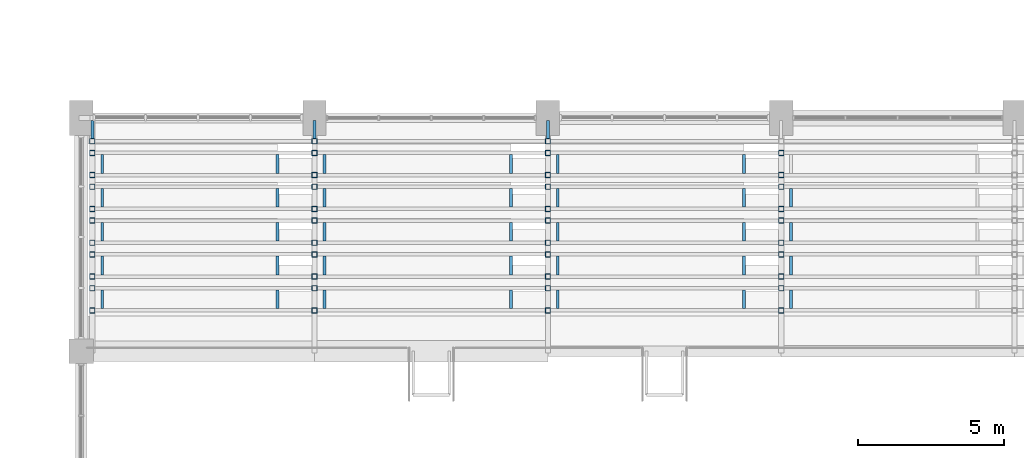
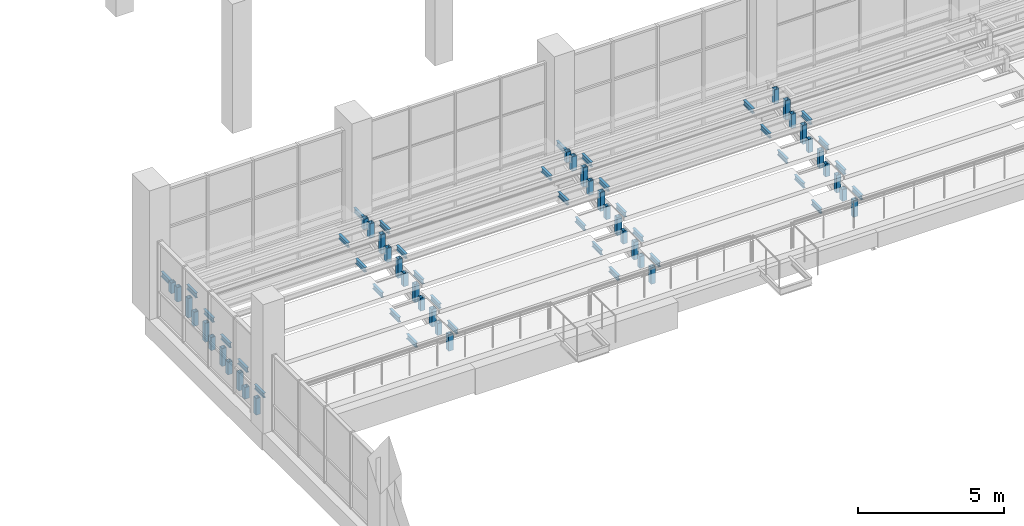
# One storey, part 66 of 122: 43 members, 37 beams.
"""IFC4 building model written with IfcOpenShell, lengths in metres."""

from ifc_helpers import new_model, si_unit, direction, frame, origin, origin_2d, place, context, subcontext, project, spatial, hollow_rectangle, i_section, extrude, material, material_profile, profile_set, type_object, element, save


model = new_model("IFC4")

# Units and contexts
model_context = context("Model", 3, precision=1e-05, world=origin(), true_north=direction((0.0, 1.0)))
body_context = subcontext(model_context, "Body", "Model", "MODEL_VIEW")
ifc_project = project(units=[si_unit("LENGTHUNIT", "METRE"), si_unit("AREAUNIT", "SQUARE_METRE"), si_unit("VOLUMEUNIT", "CUBIC_METRE"), si_unit("PLANEANGLEUNIT", "RADIAN"), si_unit("MASSUNIT", "GRAM", prefix="KILO")], contexts=[model_context])

# Site, building, storey
site_placement = place(None, origin())
site = spatial("IfcSite", under=ifc_project, at=site_placement, CompositionType="ELEMENT")
building_placement = place(site_placement, origin())
building = spatial("IfcBuilding", under=site, at=building_placement, Name="Tenunan Teduh Sports Hall", CompositionType="ELEMENT")
storey_placement = place(building_placement, frame((0.0, 0.0, 5.39990234375)))
storey = spatial("IfcBuildingStorey", under=building, at=storey_placement, Name="L01", CompositionType="ELEMENT", Elevation=5.39990234375)

# Beams
ifc_material_1 = material(Name="Steel S355", Category="steel")
ifc_material_profile_1 = material_profile(ifc_material_1, i_section(OverallWidth=0.10009765625, OverallDepth=0.199951171875, WebThickness=0.005615234375, FlangeThickness=0.008544921875, FilletRadius=0.011962890625, at=origin_2d()), Name="IPE 200")
ifc_profile_set_1 = profile_set([ifc_material_profile_1], Name="Steel S355")
beam_type = type_object("IfcBeamType", Name="JST-IPE200", PredefinedType="JOIST", material=ifc_profile_set_1)
for number, where, z_axis, x_axis, name in (
    (1, (6.3798828125, 45.2900390625, 1.380126953125), (0.0, 1.0, 0.0), (-1.0, 0.0, 0.0), "BM-J-01-L01-2390"),
    (2, (14.0, 45.2900390625, 1.380126953125), (0.0, 1.0, 0.0), (-1.0, 0.0, 0.0), "BM-J-01-L01-2392"),
    (3, (22.0, 45.2900390625, 1.380126953125), (0.0, 1.0, 0.0), (-1.0, 0.0, 0.0), "BM-J-01-L01-2394"),
):
    element("IfcBeam", number, at=place(storey_placement, frame(where, z_axis=z_axis, x_axis=x_axis)), inside=storey, type_object=beam_type, Name=name, PredefinedType="JOIST", context=body_context, shape_type="SweptSolid", body=[
        extrude(i_section(OverallWidth=0.10009765625, OverallDepth=0.199951171875, WebThickness=0.005615234375, FlangeThickness=0.008544921875, FilletRadius=0.011962890625, at=origin_2d()), origin(), (0.0, 0.0, 1.0), 0.619873046875),
    ])
for number, where, z_axis, x_axis, name in (
    (4, (6.719970703125, 39.4599609375, 0.070068359375), (0.0, 1.0, 0.0), (-1.0, 0.0, 0.0), "BM-J-01-L01-2418"),
    (5, (12.72998046875, 39.4599609375, 0.070068359375), (0.0, 1.0, 0.0), (-1.0, 0.0, 0.0), "BM-J-01-L01-2419"),
):
    element("IfcBeam", number, at=place(storey_placement, frame(where, z_axis=z_axis, x_axis=x_axis)), inside=storey, type_object=beam_type, Name=name, PredefinedType="JOIST", context=body_context, shape_type="SweptSolid", body=[
        extrude(i_section(OverallWidth=0.10009765625, OverallDepth=0.199951171875, WebThickness=0.005615234375, FlangeThickness=0.008544921875, FilletRadius=0.011962890625, at=origin_2d()), origin(), (0.0, 0.0, 1.0), 0.64013671875),
    ])
for number, where, z_axis, x_axis, name in (
    (6, (6.719970703125, 40.6201171875, 0.425048828125), (0.0, 1.0, 0.0), (-1.0, 0.0, 0.0), "BM-J-01-L01-2422"),
    (7, (12.72998046875, 40.6201171875, 0.425048828125), (0.0, 1.0, 0.0), (-1.0, 0.0, 0.0), "BM-J-01-L01-2423"),
    (8, (6.719970703125, 41.780029296875, 0.75), (0.0, 1.0, 0.0), (-1.0, 0.0, 0.0), "BM-J-01-L01-2426"),
    (9, (12.72998046875, 41.780029296875, 0.75), (0.0, 1.0, 0.0), (-1.0, 0.0, 0.0), "BM-J-01-L01-2427"),
):
    element("IfcBeam", number, at=place(storey_placement, frame(where, z_axis=z_axis, x_axis=x_axis)), inside=storey, type_object=beam_type, Name=name, PredefinedType="JOIST", context=body_context, shape_type="SweptSolid", body=[
        extrude(i_section(OverallWidth=0.10009765625, OverallDepth=0.199951171875, WebThickness=0.005615234375, FlangeThickness=0.008544921875, FilletRadius=0.011962890625, at=origin_2d()), origin(), (0.0, 0.0, 1.0), 0.639892578125),
    ])
for number, where, z_axis, x_axis, name in (
    (10, (6.719970703125, 42.93994140625, 1.10498046875), (0.0, 1.0, 0.0), (-1.0, 0.0, 0.0), "BM-J-01-L01-2430"),
    (11, (12.72998046875, 42.93994140625, 1.10498046875), (0.0, 1.0, 0.0), (-1.0, 0.0, 0.0), "BM-J-01-L01-2431"),
):
    element("IfcBeam", number, at=place(storey_placement, frame(where, z_axis=z_axis, x_axis=x_axis)), inside=storey, type_object=beam_type, Name=name, PredefinedType="JOIST", context=body_context, shape_type="SweptSolid", body=[
        extrude(i_section(OverallWidth=0.10009765625, OverallDepth=0.199951171875, WebThickness=0.005615234375, FlangeThickness=0.008544921875, FilletRadius=0.011962890625, at=origin_2d()), origin(), (0.0, 0.0, 1.0), 0.64013671875),
    ])
for number, where, z_axis, x_axis, name in (
    (12, (6.719970703125, 44.10009765625, 1.43017578125), (0.0, 1.0, 0.0), (-1.0, 0.0, 0.0), "BM-J-01-L01-2434"),
    (13, (12.72998046875, 44.10009765625, 1.43017578125), (0.0, 1.0, 0.0), (-1.0, 0.0, 0.0), "BM-J-01-L01-2435"),
):
    element("IfcBeam", number, at=place(storey_placement, frame(where, z_axis=z_axis, x_axis=x_axis)), inside=storey, type_object=beam_type, Name=name, PredefinedType="JOIST", context=body_context, shape_type="SweptSolid", body=[
        extrude(i_section(OverallWidth=0.10009765625, OverallDepth=0.199951171875, WebThickness=0.005615234375, FlangeThickness=0.008544921875, FilletRadius=0.011962890625, at=origin_2d()), origin(), (0.0, 0.0, 1.0), 0.639892578125),
    ])
for number, where, z_axis, x_axis, name in (
    (14, (14.340087890625, 39.4599609375, 0.070068359375), (0.0, 1.0, 0.0), (-1.0, 0.0, 0.0), "BM-J-01-L01-2438"),
    (15, (20.72998046875, 39.4599609375, 0.070068359375), (0.0, 1.0, 0.0), (-1.0, 0.0, 0.0), "BM-J-01-L01-2439"),
):
    element("IfcBeam", number, at=place(storey_placement, frame(where, z_axis=z_axis, x_axis=x_axis)), inside=storey, type_object=beam_type, Name=name, PredefinedType="JOIST", context=body_context, shape_type="SweptSolid", body=[
        extrude(i_section(OverallWidth=0.10009765625, OverallDepth=0.199951171875, WebThickness=0.005615234375, FlangeThickness=0.008544921875, FilletRadius=0.011962890625, at=origin_2d()), origin(), (0.0, 0.0, 1.0), 0.64013671875),
    ])
for number, where, z_axis, x_axis, name in (
    (16, (14.340087890625, 40.6201171875, 0.425048828125), (0.0, 1.0, 0.0), (-1.0, 0.0, 0.0), "BM-J-01-L01-2442"),
    (17, (20.72998046875, 40.6201171875, 0.425048828125), (0.0, 1.0, 0.0), (-1.0, 0.0, 0.0), "BM-J-01-L01-2443"),
    (18, (14.340087890625, 41.780029296875, 0.75), (0.0, 1.0, 0.0), (-1.0, 0.0, 0.0), "BM-J-01-L01-2446"),
    (19, (20.72998046875, 41.780029296875, 0.75), (0.0, 1.0, 0.0), (-1.0, 0.0, 0.0), "BM-J-01-L01-2447"),
):
    element("IfcBeam", number, at=place(storey_placement, frame(where, z_axis=z_axis, x_axis=x_axis)), inside=storey, type_object=beam_type, Name=name, PredefinedType="JOIST", context=body_context, shape_type="SweptSolid", body=[
        extrude(i_section(OverallWidth=0.10009765625, OverallDepth=0.199951171875, WebThickness=0.005615234375, FlangeThickness=0.008544921875, FilletRadius=0.011962890625, at=origin_2d()), origin(), (0.0, 0.0, 1.0), 0.639892578125),
    ])
for number, where, z_axis, x_axis, name in (
    (20, (14.340087890625, 42.93994140625, 1.10498046875), (0.0, 1.0, 0.0), (-1.0, 0.0, 0.0), "BM-J-01-L01-2450"),
    (21, (20.72998046875, 42.93994140625, 1.10498046875), (0.0, 1.0, 0.0), (-1.0, 0.0, 0.0), "BM-J-01-L01-2451"),
):
    element("IfcBeam", number, at=place(storey_placement, frame(where, z_axis=z_axis, x_axis=x_axis)), inside=storey, type_object=beam_type, Name=name, PredefinedType="JOIST", context=body_context, shape_type="SweptSolid", body=[
        extrude(i_section(OverallWidth=0.10009765625, OverallDepth=0.199951171875, WebThickness=0.005615234375, FlangeThickness=0.008544921875, FilletRadius=0.011962890625, at=origin_2d()), origin(), (0.0, 0.0, 1.0), 0.64013671875),
    ])
for number, where, z_axis, x_axis, name in (
    (22, (14.340087890625, 44.10009765625, 1.43017578125), (0.0, 1.0, 0.0), (-1.0, 0.0, 0.0), "BM-J-01-L01-2454"),
    (23, (20.72998046875, 44.10009765625, 1.43017578125), (0.0, 1.0, 0.0), (-1.0, 0.0, 0.0), "BM-J-01-L01-2455"),
):
    element("IfcBeam", number, at=place(storey_placement, frame(where, z_axis=z_axis, x_axis=x_axis)), inside=storey, type_object=beam_type, Name=name, PredefinedType="JOIST", context=body_context, shape_type="SweptSolid", body=[
        extrude(i_section(OverallWidth=0.10009765625, OverallDepth=0.199951171875, WebThickness=0.005615234375, FlangeThickness=0.008544921875, FilletRadius=0.011962890625, at=origin_2d()), origin(), (0.0, 0.0, 1.0), 0.639892578125),
    ])
for number, where, z_axis, x_axis, name in (
    (24, (22.340087890625, 39.4599609375, 0.070068359375), (0.0, 1.0, 0.0), (-1.0, 0.0, 0.0), "BM-J-01-L01-2458"),
    (25, (28.72998046875, 39.4599609375, 0.070068359375), (0.0, 1.0, 0.0), (-1.0, 0.0, 0.0), "BM-J-01-L01-2459"),
):
    element("IfcBeam", number, at=place(storey_placement, frame(where, z_axis=z_axis, x_axis=x_axis)), inside=storey, type_object=beam_type, Name=name, PredefinedType="JOIST", context=body_context, shape_type="SweptSolid", body=[
        extrude(i_section(OverallWidth=0.10009765625, OverallDepth=0.199951171875, WebThickness=0.005615234375, FlangeThickness=0.008544921875, FilletRadius=0.011962890625, at=origin_2d()), origin(), (0.0, 0.0, 1.0), 0.64013671875),
    ])
for number, where, z_axis, x_axis, name in (
    (26, (22.340087890625, 40.6201171875, 0.425048828125), (0.0, 1.0, 0.0), (-1.0, 0.0, 0.0), "BM-J-01-L01-2462"),
    (27, (28.72998046875, 40.6201171875, 0.425048828125), (0.0, 1.0, 0.0), (-1.0, 0.0, 0.0), "BM-J-01-L01-2463"),
    (28, (22.340087890625, 41.780029296875, 0.75), (0.0, 1.0, 0.0), (-1.0, 0.0, 0.0), "BM-J-01-L01-2466"),
    (29, (28.72998046875, 41.780029296875, 0.75), (0.0, 1.0, 0.0), (-1.0, 0.0, 0.0), "BM-J-01-L01-2467"),
):
    element("IfcBeam", number, at=place(storey_placement, frame(where, z_axis=z_axis, x_axis=x_axis)), inside=storey, type_object=beam_type, Name=name, PredefinedType="JOIST", context=body_context, shape_type="SweptSolid", body=[
        extrude(i_section(OverallWidth=0.10009765625, OverallDepth=0.199951171875, WebThickness=0.005615234375, FlangeThickness=0.008544921875, FilletRadius=0.011962890625, at=origin_2d()), origin(), (0.0, 0.0, 1.0), 0.639892578125),
    ])
for number, where, z_axis, x_axis, name in (
    (30, (22.340087890625, 42.93994140625, 1.10498046875), (0.0, 1.0, 0.0), (-1.0, 0.0, 0.0), "BM-J-01-L01-2470"),
    (31, (28.72998046875, 42.93994140625, 1.10498046875), (0.0, 1.0, 0.0), (-1.0, 0.0, 0.0), "BM-J-01-L01-2471"),
):
    element("IfcBeam", number, at=place(storey_placement, frame(where, z_axis=z_axis, x_axis=x_axis)), inside=storey, type_object=beam_type, Name=name, PredefinedType="JOIST", context=body_context, shape_type="SweptSolid", body=[
        extrude(i_section(OverallWidth=0.10009765625, OverallDepth=0.199951171875, WebThickness=0.005615234375, FlangeThickness=0.008544921875, FilletRadius=0.011962890625, at=origin_2d()), origin(), (0.0, 0.0, 1.0), 0.64013671875),
    ])
for number, where, z_axis, x_axis, name in (
    (32, (22.340087890625, 44.10009765625, 1.43017578125), (0.0, 1.0, 0.0), (-1.0, 0.0, 0.0), "BM-J-01-L01-2474"),
    (33, (28.72998046875, 44.10009765625, 1.43017578125), (0.0, 1.0, 0.0), (-1.0, 0.0, 0.0), "BM-J-01-L01-2475"),
):
    element("IfcBeam", number, at=place(storey_placement, frame(where, z_axis=z_axis, x_axis=x_axis)), inside=storey, type_object=beam_type, Name=name, PredefinedType="JOIST", context=body_context, shape_type="SweptSolid", body=[
        extrude(i_section(OverallWidth=0.10009765625, OverallDepth=0.199951171875, WebThickness=0.005615234375, FlangeThickness=0.008544921875, FilletRadius=0.011962890625, at=origin_2d()), origin(), (0.0, 0.0, 1.0), 0.639892578125),
    ])
beam_1_placement = place(storey_placement, frame((30.340087890625, 39.4599609375, 0.070068359375), z_axis=(0.0, 1.0, 0.0), x_axis=(-1.0, 0.0, 0.0)))
element("IfcBeam", 34, at=beam_1_placement, inside=storey, type_object=beam_type, Name="BM-J-01-L01-2478", PredefinedType="JOIST", context=body_context, shape_type="SweptSolid", body=[
    extrude(i_section(OverallWidth=0.10009765625, OverallDepth=0.199951171875, WebThickness=0.005615234375, FlangeThickness=0.008544921875, FilletRadius=0.011962890625, at=origin_2d()), origin(), (0.0, 0.0, 1.0), 0.64013671875),
])
for number, where, z_axis, x_axis, name in (
    (35, (30.340087890625, 40.6201171875, 0.425048828125), (0.0, 1.0, 0.0), (-1.0, 0.0, 0.0), "BM-J-01-L01-2482"),
    (36, (30.340087890625, 41.780029296875, 0.75), (0.0, 1.0, 0.0), (-1.0, 0.0, 0.0), "BM-J-01-L01-2486"),
):
    element("IfcBeam", number, at=place(storey_placement, frame(where, z_axis=z_axis, x_axis=x_axis)), inside=storey, type_object=beam_type, Name=name, PredefinedType="JOIST", context=body_context, shape_type="SweptSolid", body=[
        extrude(i_section(OverallWidth=0.10009765625, OverallDepth=0.199951171875, WebThickness=0.005615234375, FlangeThickness=0.008544921875, FilletRadius=0.011962890625, at=origin_2d()), origin(), (0.0, 0.0, 1.0), 0.639892578125),
    ])
beam_2_placement = place(storey_placement, frame((30.340087890625, 42.93994140625, 1.10498046875), z_axis=(0.0, 1.0, 0.0), x_axis=(-1.0, 0.0, 0.0)))
element("IfcBeam", 37, at=beam_2_placement, inside=storey, type_object=beam_type, Name="BM-J-01-L01-2490", PredefinedType="JOIST", context=body_context, shape_type="SweptSolid", body=[
    extrude(i_section(OverallWidth=0.10009765625, OverallDepth=0.199951171875, WebThickness=0.005615234375, FlangeThickness=0.008544921875, FilletRadius=0.011962890625, at=origin_2d()), origin(), (0.0, 0.0, 1.0), 0.64013671875),
])

# Members
ifc_material_2 = material(Name="Steel S355", Category="steel")
ifc_material_profile_2 = material_profile(ifc_material_2, hollow_rectangle(XDim=0.179931640625, YDim=0.179931640625, WallThickness=0.010009765625, at=origin_2d()), Name="SHS 180x180x10.0")
ifc_profile_set_2 = profile_set([ifc_material_profile_2], Name="Steel S355")
member_type = type_object("IfcMemberType", Name="MEM-ST-SHS180", PredefinedType="STRUT", material=ifc_profile_set_2)
for number, where, z_axis, x_axis, name in (
    (38, (6.3798828125, 45.199951171875, 1.03515625), (0.0, 0.0, 1.0), (1.0, 0.0, 0.0), "MEM-VS-03-L01-1365"),
    (39, (14.0, 45.199951171875, 1.03515625), (0.0, 0.0, 1.0), (1.0, 0.0, 0.0), "MEM-VS-03-L01-1366"),
    (40, (22.0, 45.199951171875, 1.03515625), (0.0, 0.0, 1.0), (1.0, 0.0, 0.0), "MEM-VS-03-L01-1367"),
):
    element("IfcMember", number, at=place(storey_placement, frame(where, z_axis=z_axis, x_axis=x_axis)), inside=storey, type_object=member_type, Name=name, PredefinedType="STRUT", context=body_context, shape_type="SweptSolid", body=[
        extrude(hollow_rectangle(XDim=0.179931640625, YDim=0.179931640625, WallThickness=0.010009765625, at=origin_2d()), origin(), (0.0, 0.0, 1.0), 0.44482421875),
    ])
member_1_placement = place(storey_placement, frame((6.3798828125, 39.39990234375, -0.523681640625), z_axis=(0.0, 0.0, 1.0), x_axis=(1.0, 0.0, 0.0)))
element("IfcMember", 41, at=member_1_placement, inside=storey, type_object=member_type, Name="MEM-VS-03-L01-1374", PredefinedType="STRUT", context=body_context, shape_type="SweptSolid", body=[
    extrude(hollow_rectangle(XDim=0.179931640625, YDim=0.179931640625, WallThickness=0.010009765625, at=origin_2d()), origin(), (0.0, 0.0, 1.0), 0.69384765625),
])
member_2_placement = place(storey_placement, frame((6.3798828125, 40.159912109375, -0.3193359375), z_axis=(0.0, 0.0, 1.0), x_axis=(1.0, 0.0, 0.0)))
element("IfcMember", 42, at=member_2_placement, inside=storey, type_object=member_type, Name="MEM-VS-03-L01-1375", PredefinedType="STRUT", context=body_context, shape_type="SweptSolid", body=[
    extrude(hollow_rectangle(XDim=0.179931640625, YDim=0.179931640625, WallThickness=0.010009765625, at=origin_2d()), origin(), (0.0, 0.0, 1.0), 0.489501953125),
])
member_3_placement = place(storey_placement, frame((6.3798828125, 40.56005859375, -0.2119140625), z_axis=(0.0, 0.0, 1.0), x_axis=(1.0, 0.0, 0.0)))
element("IfcMember", 43, at=member_3_placement, inside=storey, type_object=member_type, Name="MEM-VS-03-L01-1376", PredefinedType="STRUT", context=body_context, shape_type="SweptSolid", body=[
    extrude(hollow_rectangle(XDim=0.179931640625, YDim=0.179931640625, WallThickness=0.010009765625, at=origin_2d()), origin(), (0.0, 0.0, 1.0), 0.737060546875),
])
member_4_placement = place(storey_placement, frame((6.3798828125, 41.320068359375, -0.007568359375), z_axis=(0.0, 0.0, 1.0), x_axis=(1.0, 0.0, 0.0)))
element("IfcMember", 44, at=member_4_placement, inside=storey, type_object=member_type, Name="MEM-VS-03-L01-1377", PredefinedType="STRUT", context=body_context, shape_type="SweptSolid", body=[
    extrude(hollow_rectangle(XDim=0.179931640625, YDim=0.179931640625, WallThickness=0.010009765625, at=origin_2d()), origin(), (0.0, 0.0, 1.0), 0.53271484375),
])
member_5_placement = place(storey_placement, frame((6.3798828125, 41.719970703125, 0.099853515625), z_axis=(0.0, 0.0, 1.0), x_axis=(1.0, 0.0, 0.0)))
element("IfcMember", 45, at=member_5_placement, inside=storey, type_object=member_type, Name="MEM-VS-03-L01-1378", PredefinedType="STRUT", context=body_context, shape_type="SweptSolid", body=[
    extrude(hollow_rectangle(XDim=0.179931640625, YDim=0.179931640625, WallThickness=0.010009765625, at=origin_2d()), origin(), (0.0, 0.0, 1.0), 0.750244140625),
])
member_6_placement = place(storey_placement, frame((6.3798828125, 42.47998046875, 0.30419921875), z_axis=(0.0, 0.0, 1.0), x_axis=(1.0, 0.0, 0.0)))
element("IfcMember", 46, at=member_6_placement, inside=storey, type_object=member_type, Name="MEM-VS-03-L01-1379", PredefinedType="STRUT", context=body_context, shape_type="SweptSolid", body=[
    extrude(hollow_rectangle(XDim=0.179931640625, YDim=0.179931640625, WallThickness=0.010009765625, at=origin_2d()), origin(), (0.0, 0.0, 1.0), 0.5458984375),
])
member_7_placement = place(storey_placement, frame((6.3798828125, 42.8798828125, 0.41162109375), z_axis=(0.0, 0.0, 1.0), x_axis=(1.0, 0.0, 0.0)))
element("IfcMember", 47, at=member_7_placement, inside=storey, type_object=member_type, Name="MEM-VS-03-L01-1380", PredefinedType="STRUT", context=body_context, shape_type="SweptSolid", body=[
    extrude(hollow_rectangle(XDim=0.179931640625, YDim=0.179931640625, WallThickness=0.010009765625, at=origin_2d()), origin(), (0.0, 0.0, 1.0), 0.79345703125),
])
member_8_placement = place(storey_placement, frame((6.3798828125, 43.639892578125, 0.615966796875), z_axis=(0.0, 0.0, 1.0), x_axis=(1.0, 0.0, 0.0)))
element("IfcMember", 48, at=member_8_placement, inside=storey, type_object=member_type, Name="MEM-VS-03-L01-1381", PredefinedType="STRUT", context=body_context, shape_type="SweptSolid", body=[
    extrude(hollow_rectangle(XDim=0.179931640625, YDim=0.179931640625, WallThickness=0.010009765625, at=origin_2d()), origin(), (0.0, 0.0, 1.0), 0.589111328125),
])
member_9_placement = place(storey_placement, frame((6.3798828125, 44.0400390625, 0.723388671875), z_axis=(0.0, 0.0, 1.0), x_axis=(1.0, 0.0, 0.0)))
element("IfcMember", 49, at=member_9_placement, inside=storey, type_object=member_type, Name="MEM-VS-03-L01-1382", PredefinedType="STRUT", context=body_context, shape_type="SweptSolid", body=[
    extrude(hollow_rectangle(XDim=0.179931640625, YDim=0.179931640625, WallThickness=0.010009765625, at=origin_2d()), origin(), (0.0, 0.0, 1.0), 0.806640625),
])
member_10_placement = place(storey_placement, frame((6.3798828125, 44.800048828125, 0.927490234375), z_axis=(0.0, 0.0, 1.0), x_axis=(1.0, 0.0, 0.0)))
element("IfcMember", 50, at=member_10_placement, inside=storey, type_object=member_type, Name="MEM-VS-03-L01-1383", PredefinedType="STRUT", context=body_context, shape_type="SweptSolid", body=[
    extrude(hollow_rectangle(XDim=0.179931640625, YDim=0.179931640625, WallThickness=0.010009765625, at=origin_2d()), origin(), (0.0, 0.0, 1.0), 0.6025390625),
])
member_11_placement = place(storey_placement, frame((14.0, 39.39990234375, -0.523681640625), z_axis=(0.0, 0.0, 1.0), x_axis=(1.0, 0.0, 0.0)))
element("IfcMember", 51, at=member_11_placement, inside=storey, type_object=member_type, Name="MEM-VS-03-L01-1384", PredefinedType="STRUT", context=body_context, shape_type="SweptSolid", body=[
    extrude(hollow_rectangle(XDim=0.179931640625, YDim=0.179931640625, WallThickness=0.010009765625, at=origin_2d()), origin(), (0.0, 0.0, 1.0), 0.69384765625),
])
member_12_placement = place(storey_placement, frame((14.0, 40.159912109375, -0.3193359375), z_axis=(0.0, 0.0, 1.0), x_axis=(1.0, 0.0, 0.0)))
element("IfcMember", 52, at=member_12_placement, inside=storey, type_object=member_type, Name="MEM-VS-03-L01-1385", PredefinedType="STRUT", context=body_context, shape_type="SweptSolid", body=[
    extrude(hollow_rectangle(XDim=0.179931640625, YDim=0.179931640625, WallThickness=0.010009765625, at=origin_2d()), origin(), (0.0, 0.0, 1.0), 0.489501953125),
])
member_13_placement = place(storey_placement, frame((14.0, 40.56005859375, -0.2119140625), z_axis=(0.0, 0.0, 1.0), x_axis=(1.0, 0.0, 0.0)))
element("IfcMember", 53, at=member_13_placement, inside=storey, type_object=member_type, Name="MEM-VS-03-L01-1386", PredefinedType="STRUT", context=body_context, shape_type="SweptSolid", body=[
    extrude(hollow_rectangle(XDim=0.179931640625, YDim=0.179931640625, WallThickness=0.010009765625, at=origin_2d()), origin(), (0.0, 0.0, 1.0), 0.737060546875),
])
member_14_placement = place(storey_placement, frame((14.0, 41.320068359375, -0.007568359375), z_axis=(0.0, 0.0, 1.0), x_axis=(1.0, 0.0, 0.0)))
element("IfcMember", 54, at=member_14_placement, inside=storey, type_object=member_type, Name="MEM-VS-03-L01-1387", PredefinedType="STRUT", context=body_context, shape_type="SweptSolid", body=[
    extrude(hollow_rectangle(XDim=0.179931640625, YDim=0.179931640625, WallThickness=0.010009765625, at=origin_2d()), origin(), (0.0, 0.0, 1.0), 0.53271484375),
])
member_15_placement = place(storey_placement, frame((14.0, 41.719970703125, 0.099853515625), z_axis=(0.0, 0.0, 1.0), x_axis=(1.0, 0.0, 0.0)))
element("IfcMember", 55, at=member_15_placement, inside=storey, type_object=member_type, Name="MEM-VS-03-L01-1388", PredefinedType="STRUT", context=body_context, shape_type="SweptSolid", body=[
    extrude(hollow_rectangle(XDim=0.179931640625, YDim=0.179931640625, WallThickness=0.010009765625, at=origin_2d()), origin(), (0.0, 0.0, 1.0), 0.750244140625),
])
member_16_placement = place(storey_placement, frame((14.0, 42.47998046875, 0.30419921875), z_axis=(0.0, 0.0, 1.0), x_axis=(1.0, 0.0, 0.0)))
element("IfcMember", 56, at=member_16_placement, inside=storey, type_object=member_type, Name="MEM-VS-03-L01-1389", PredefinedType="STRUT", context=body_context, shape_type="SweptSolid", body=[
    extrude(hollow_rectangle(XDim=0.179931640625, YDim=0.179931640625, WallThickness=0.010009765625, at=origin_2d()), origin(), (0.0, 0.0, 1.0), 0.5458984375),
])
member_17_placement = place(storey_placement, frame((14.0, 42.8798828125, 0.41162109375), z_axis=(0.0, 0.0, 1.0), x_axis=(1.0, 0.0, 0.0)))
element("IfcMember", 57, at=member_17_placement, inside=storey, type_object=member_type, Name="MEM-VS-03-L01-1390", PredefinedType="STRUT", context=body_context, shape_type="SweptSolid", body=[
    extrude(hollow_rectangle(XDim=0.179931640625, YDim=0.179931640625, WallThickness=0.010009765625, at=origin_2d()), origin(), (0.0, 0.0, 1.0), 0.79345703125),
])
member_18_placement = place(storey_placement, frame((14.0, 43.639892578125, 0.615966796875), z_axis=(0.0, 0.0, 1.0), x_axis=(1.0, 0.0, 0.0)))
element("IfcMember", 58, at=member_18_placement, inside=storey, type_object=member_type, Name="MEM-VS-03-L01-1391", PredefinedType="STRUT", context=body_context, shape_type="SweptSolid", body=[
    extrude(hollow_rectangle(XDim=0.179931640625, YDim=0.179931640625, WallThickness=0.010009765625, at=origin_2d()), origin(), (0.0, 0.0, 1.0), 0.589111328125),
])
member_19_placement = place(storey_placement, frame((14.0, 44.0400390625, 0.723388671875), z_axis=(0.0, 0.0, 1.0), x_axis=(1.0, 0.0, 0.0)))
element("IfcMember", 59, at=member_19_placement, inside=storey, type_object=member_type, Name="MEM-VS-03-L01-1392", PredefinedType="STRUT", context=body_context, shape_type="SweptSolid", body=[
    extrude(hollow_rectangle(XDim=0.179931640625, YDim=0.179931640625, WallThickness=0.010009765625, at=origin_2d()), origin(), (0.0, 0.0, 1.0), 0.806640625),
])
member_20_placement = place(storey_placement, frame((14.0, 44.800048828125, 0.927490234375), z_axis=(0.0, 0.0, 1.0), x_axis=(1.0, 0.0, 0.0)))
element("IfcMember", 60, at=member_20_placement, inside=storey, type_object=member_type, Name="MEM-VS-03-L01-1393", PredefinedType="STRUT", context=body_context, shape_type="SweptSolid", body=[
    extrude(hollow_rectangle(XDim=0.179931640625, YDim=0.179931640625, WallThickness=0.010009765625, at=origin_2d()), origin(), (0.0, 0.0, 1.0), 0.6025390625),
])
member_21_placement = place(storey_placement, frame((22.0, 39.39990234375, -0.523681640625), z_axis=(0.0, 0.0, 1.0), x_axis=(1.0, 0.0, 0.0)))
element("IfcMember", 61, at=member_21_placement, inside=storey, type_object=member_type, Name="MEM-VS-03-L01-1394", PredefinedType="STRUT", context=body_context, shape_type="SweptSolid", body=[
    extrude(hollow_rectangle(XDim=0.179931640625, YDim=0.179931640625, WallThickness=0.010009765625, at=origin_2d()), origin(), (0.0, 0.0, 1.0), 0.69384765625),
])
member_22_placement = place(storey_placement, frame((22.0, 40.159912109375, -0.3193359375), z_axis=(0.0, 0.0, 1.0), x_axis=(1.0, 0.0, 0.0)))
element("IfcMember", 62, at=member_22_placement, inside=storey, type_object=member_type, Name="MEM-VS-03-L01-1395", PredefinedType="STRUT", context=body_context, shape_type="SweptSolid", body=[
    extrude(hollow_rectangle(XDim=0.179931640625, YDim=0.179931640625, WallThickness=0.010009765625, at=origin_2d()), origin(), (0.0, 0.0, 1.0), 0.489501953125),
])
member_23_placement = place(storey_placement, frame((22.0, 40.56005859375, -0.2119140625), z_axis=(0.0, 0.0, 1.0), x_axis=(1.0, 0.0, 0.0)))
element("IfcMember", 63, at=member_23_placement, inside=storey, type_object=member_type, Name="MEM-VS-03-L01-1396", PredefinedType="STRUT", context=body_context, shape_type="SweptSolid", body=[
    extrude(hollow_rectangle(XDim=0.179931640625, YDim=0.179931640625, WallThickness=0.010009765625, at=origin_2d()), origin(), (0.0, 0.0, 1.0), 0.737060546875),
])
member_24_placement = place(storey_placement, frame((22.0, 41.320068359375, -0.007568359375), z_axis=(0.0, 0.0, 1.0), x_axis=(1.0, 0.0, 0.0)))
element("IfcMember", 64, at=member_24_placement, inside=storey, type_object=member_type, Name="MEM-VS-03-L01-1397", PredefinedType="STRUT", context=body_context, shape_type="SweptSolid", body=[
    extrude(hollow_rectangle(XDim=0.179931640625, YDim=0.179931640625, WallThickness=0.010009765625, at=origin_2d()), origin(), (0.0, 0.0, 1.0), 0.53271484375),
])
member_25_placement = place(storey_placement, frame((22.0, 41.719970703125, 0.099853515625), z_axis=(0.0, 0.0, 1.0), x_axis=(1.0, 0.0, 0.0)))
element("IfcMember", 65, at=member_25_placement, inside=storey, type_object=member_type, Name="MEM-VS-03-L01-1398", PredefinedType="STRUT", context=body_context, shape_type="SweptSolid", body=[
    extrude(hollow_rectangle(XDim=0.179931640625, YDim=0.179931640625, WallThickness=0.010009765625, at=origin_2d()), origin(), (0.0, 0.0, 1.0), 0.750244140625),
])
member_26_placement = place(storey_placement, frame((22.0, 42.47998046875, 0.30419921875), z_axis=(0.0, 0.0, 1.0), x_axis=(1.0, 0.0, 0.0)))
element("IfcMember", 66, at=member_26_placement, inside=storey, type_object=member_type, Name="MEM-VS-03-L01-1399", PredefinedType="STRUT", context=body_context, shape_type="SweptSolid", body=[
    extrude(hollow_rectangle(XDim=0.179931640625, YDim=0.179931640625, WallThickness=0.010009765625, at=origin_2d()), origin(), (0.0, 0.0, 1.0), 0.5458984375),
])
member_27_placement = place(storey_placement, frame((22.0, 42.8798828125, 0.41162109375), z_axis=(0.0, 0.0, 1.0), x_axis=(1.0, 0.0, 0.0)))
element("IfcMember", 67, at=member_27_placement, inside=storey, type_object=member_type, Name="MEM-VS-03-L01-1400", PredefinedType="STRUT", context=body_context, shape_type="SweptSolid", body=[
    extrude(hollow_rectangle(XDim=0.179931640625, YDim=0.179931640625, WallThickness=0.010009765625, at=origin_2d()), origin(), (0.0, 0.0, 1.0), 0.79345703125),
])
member_28_placement = place(storey_placement, frame((22.0, 43.639892578125, 0.615966796875), z_axis=(0.0, 0.0, 1.0), x_axis=(1.0, 0.0, 0.0)))
element("IfcMember", 68, at=member_28_placement, inside=storey, type_object=member_type, Name="MEM-VS-03-L01-1401", PredefinedType="STRUT", context=body_context, shape_type="SweptSolid", body=[
    extrude(hollow_rectangle(XDim=0.179931640625, YDim=0.179931640625, WallThickness=0.010009765625, at=origin_2d()), origin(), (0.0, 0.0, 1.0), 0.589111328125),
])
member_29_placement = place(storey_placement, frame((22.0, 44.0400390625, 0.723388671875), z_axis=(0.0, 0.0, 1.0), x_axis=(1.0, 0.0, 0.0)))
element("IfcMember", 69, at=member_29_placement, inside=storey, type_object=member_type, Name="MEM-VS-03-L01-1402", PredefinedType="STRUT", context=body_context, shape_type="SweptSolid", body=[
    extrude(hollow_rectangle(XDim=0.179931640625, YDim=0.179931640625, WallThickness=0.010009765625, at=origin_2d()), origin(), (0.0, 0.0, 1.0), 0.806640625),
])
member_30_placement = place(storey_placement, frame((22.0, 44.800048828125, 0.927490234375), z_axis=(0.0, 0.0, 1.0), x_axis=(1.0, 0.0, 0.0)))
element("IfcMember", 70, at=member_30_placement, inside=storey, type_object=member_type, Name="MEM-VS-03-L01-1403", PredefinedType="STRUT", context=body_context, shape_type="SweptSolid", body=[
    extrude(hollow_rectangle(XDim=0.179931640625, YDim=0.179931640625, WallThickness=0.010009765625, at=origin_2d()), origin(), (0.0, 0.0, 1.0), 0.6025390625),
])
member_31_placement = place(storey_placement, frame((30.0, 39.39990234375, -0.523681640625), z_axis=(0.0, 0.0, 1.0), x_axis=(1.0, 0.0, 0.0)))
element("IfcMember", 71, at=member_31_placement, inside=storey, type_object=member_type, Name="MEM-VS-03-L01-1404", PredefinedType="STRUT", context=body_context, shape_type="SweptSolid", body=[
    extrude(hollow_rectangle(XDim=0.179931640625, YDim=0.179931640625, WallThickness=0.010009765625, at=origin_2d()), origin(), (0.0, 0.0, 1.0), 0.69384765625),
])
member_32_placement = place(storey_placement, frame((30.0, 40.159912109375, -0.3193359375), z_axis=(0.0, 0.0, 1.0), x_axis=(1.0, 0.0, 0.0)))
element("IfcMember", 72, at=member_32_placement, inside=storey, type_object=member_type, Name="MEM-VS-03-L01-1405", PredefinedType="STRUT", context=body_context, shape_type="SweptSolid", body=[
    extrude(hollow_rectangle(XDim=0.179931640625, YDim=0.179931640625, WallThickness=0.010009765625, at=origin_2d()), origin(), (0.0, 0.0, 1.0), 0.489501953125),
])
member_33_placement = place(storey_placement, frame((30.0, 40.56005859375, -0.2119140625), z_axis=(0.0, 0.0, 1.0), x_axis=(1.0, 0.0, 0.0)))
element("IfcMember", 73, at=member_33_placement, inside=storey, type_object=member_type, Name="MEM-VS-03-L01-1406", PredefinedType="STRUT", context=body_context, shape_type="SweptSolid", body=[
    extrude(hollow_rectangle(XDim=0.179931640625, YDim=0.179931640625, WallThickness=0.010009765625, at=origin_2d()), origin(), (0.0, 0.0, 1.0), 0.737060546875),
])
member_34_placement = place(storey_placement, frame((30.0, 41.320068359375, -0.007568359375), z_axis=(0.0, 0.0, 1.0), x_axis=(1.0, 0.0, 0.0)))
element("IfcMember", 74, at=member_34_placement, inside=storey, type_object=member_type, Name="MEM-VS-03-L01-1407", PredefinedType="STRUT", context=body_context, shape_type="SweptSolid", body=[
    extrude(hollow_rectangle(XDim=0.179931640625, YDim=0.179931640625, WallThickness=0.010009765625, at=origin_2d()), origin(), (0.0, 0.0, 1.0), 0.53271484375),
])
member_35_placement = place(storey_placement, frame((30.0, 41.719970703125, 0.099853515625), z_axis=(0.0, 0.0, 1.0), x_axis=(1.0, 0.0, 0.0)))
element("IfcMember", 75, at=member_35_placement, inside=storey, type_object=member_type, Name="MEM-VS-03-L01-1408", PredefinedType="STRUT", context=body_context, shape_type="SweptSolid", body=[
    extrude(hollow_rectangle(XDim=0.179931640625, YDim=0.179931640625, WallThickness=0.010009765625, at=origin_2d()), origin(), (0.0, 0.0, 1.0), 0.750244140625),
])
member_36_placement = place(storey_placement, frame((30.0, 42.47998046875, 0.30419921875), z_axis=(0.0, 0.0, 1.0), x_axis=(1.0, 0.0, 0.0)))
element("IfcMember", 76, at=member_36_placement, inside=storey, type_object=member_type, Name="MEM-VS-03-L01-1409", PredefinedType="STRUT", context=body_context, shape_type="SweptSolid", body=[
    extrude(hollow_rectangle(XDim=0.179931640625, YDim=0.179931640625, WallThickness=0.010009765625, at=origin_2d()), origin(), (0.0, 0.0, 1.0), 0.5458984375),
])
member_37_placement = place(storey_placement, frame((30.0, 42.8798828125, 0.41162109375), z_axis=(0.0, 0.0, 1.0), x_axis=(1.0, 0.0, 0.0)))
element("IfcMember", 77, at=member_37_placement, inside=storey, type_object=member_type, Name="MEM-VS-03-L01-1410", PredefinedType="STRUT", context=body_context, shape_type="SweptSolid", body=[
    extrude(hollow_rectangle(XDim=0.179931640625, YDim=0.179931640625, WallThickness=0.010009765625, at=origin_2d()), origin(), (0.0, 0.0, 1.0), 0.79345703125),
])
member_38_placement = place(storey_placement, frame((30.0, 43.639892578125, 0.615966796875), z_axis=(0.0, 0.0, 1.0), x_axis=(1.0, 0.0, 0.0)))
element("IfcMember", 78, at=member_38_placement, inside=storey, type_object=member_type, Name="MEM-VS-03-L01-1411", PredefinedType="STRUT", context=body_context, shape_type="SweptSolid", body=[
    extrude(hollow_rectangle(XDim=0.179931640625, YDim=0.179931640625, WallThickness=0.010009765625, at=origin_2d()), origin(), (0.0, 0.0, 1.0), 0.589111328125),
])
member_39_placement = place(storey_placement, frame((30.0, 44.0400390625, 0.723388671875), z_axis=(0.0, 0.0, 1.0), x_axis=(1.0, 0.0, 0.0)))
element("IfcMember", 79, at=member_39_placement, inside=storey, type_object=member_type, Name="MEM-VS-03-L01-1412", PredefinedType="STRUT", context=body_context, shape_type="SweptSolid", body=[
    extrude(hollow_rectangle(XDim=0.179931640625, YDim=0.179931640625, WallThickness=0.010009765625, at=origin_2d()), origin(), (0.0, 0.0, 1.0), 0.806640625),
])
member_40_placement = place(storey_placement, frame((30.0, 44.800048828125, 0.927490234375), z_axis=(0.0, 0.0, 1.0), x_axis=(1.0, 0.0, 0.0)))
element("IfcMember", 80, at=member_40_placement, inside=storey, type_object=member_type, Name="MEM-VS-03-L01-1413", PredefinedType="STRUT", context=body_context, shape_type="SweptSolid", body=[
    extrude(hollow_rectangle(XDim=0.179931640625, YDim=0.179931640625, WallThickness=0.010009765625, at=origin_2d()), origin(), (0.0, 0.0, 1.0), 0.6025390625),
])

save(model, "model.ifc")
